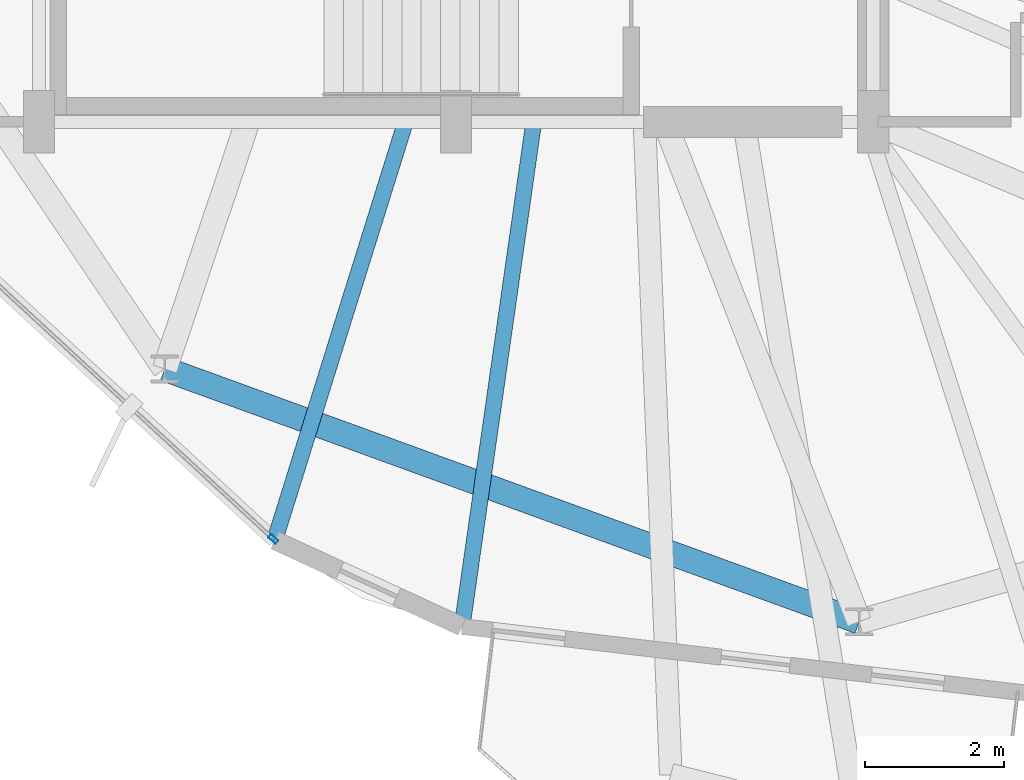
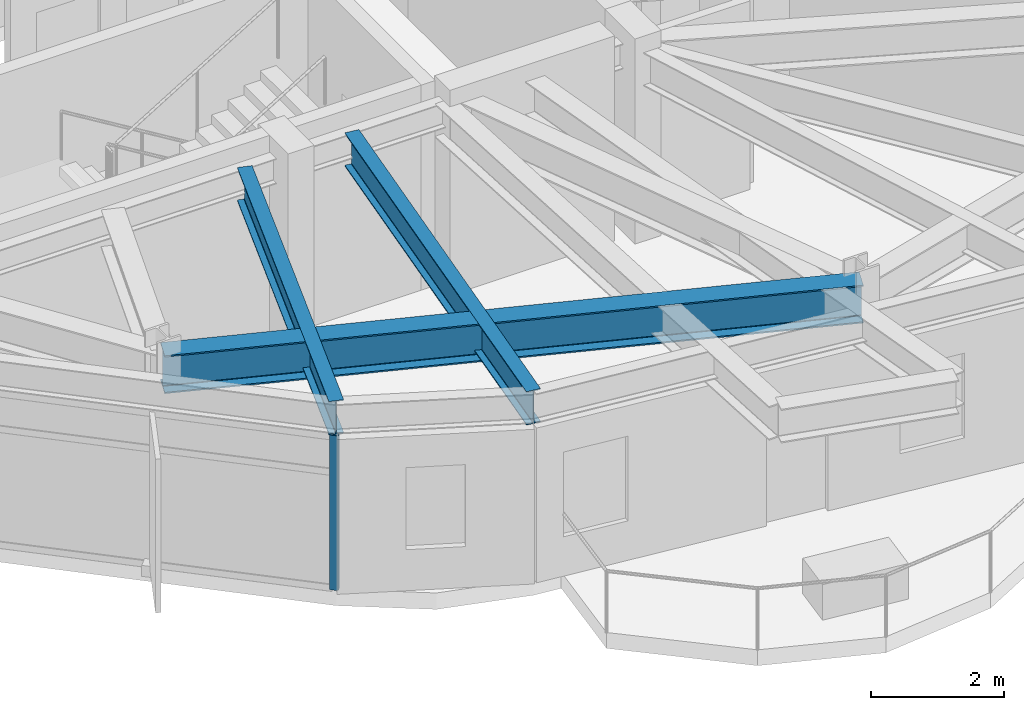
# One storey, part 2 of 25: 3 beams, 1 member, 1 element without a shape of its own.
"""IFC4 building model written with IfcOpenShell, lengths in metres."""

from ifc_helpers import new_model, si_unit, direction, frame, origin, origin_2d, place, context, subcontext, project, spatial, hollow_rectangle, i_section, extrude, material, layer, layer_set, material_profile, profile_set, type_object, element, aggregate, save


model = new_model("IFC4")

# Units and contexts
model_context = context("Model", 3, precision=1e-05, world=origin(), true_north=direction((0.0, 1.0)))
body_context = subcontext(model_context, "Body", "Model", "MODEL_VIEW")
ifc_project = project(units=[si_unit("LENGTHUNIT", "METRE"), si_unit("AREAUNIT", "SQUARE_METRE"), si_unit("VOLUMEUNIT", "CUBIC_METRE"), si_unit("PLANEANGLEUNIT", "RADIAN"), si_unit("MASSUNIT", "GRAM", prefix="KILO")], contexts=[model_context])

# Site, building, storey
site_placement = place(None, origin())
site = spatial("IfcSite", under=ifc_project, at=site_placement, CompositionType="ELEMENT")
building_placement = place(site_placement, origin())
building = spatial("IfcBuilding", under=site, at=building_placement, Name="Soratama Intermodal Tower", CompositionType="ELEMENT")
storey_placement = place(building_placement, frame((0.0, 0.0, 272.5)))
storey = spatial("IfcBuildingStorey", under=building, at=storey_placement, Name="L69", CompositionType="ELEMENT", Elevation=272.5)

# Beams
ifc_material_1 = material(Name="Structural steel ASTM A992 Grade 50", Category="steel")
ifc_material_profile_1 = material_profile(ifc_material_1, i_section(OverallWidth=0.35498046875, OverallDepth=0.695068359375, WebThickness=0.015380859375, FlangeThickness=0.02490234375, FilletRadius=0.01611328125, at=origin_2d()), Name="W27X146")
ifc_profile_set_1 = profile_set([ifc_material_profile_1], Name="Structural steel ASTM A992 Grade 50")
beam_type_1 = type_object("IfcBeamType", Name="BM-RING-W27X146", PredefinedType="BEAM", material=ifc_profile_set_1)
beam_1_placement = place(storey_placement, frame((34.410888671875, 11.446044921875, 3.1025390625), z_axis=(0.939713598519, -0.341962501976, 0.0), x_axis=(0.341962501976, 0.939713598519, 0.0)))
element("IfcBeam", 1, at=beam_1_placement, inside=storey, type_object=beam_type_1, Name="BM-L69-RING-07", PredefinedType="BEAM", context=body_context, shape_type="SweptSolid", body=[
    extrude(i_section(OverallWidth=0.35498046875, OverallDepth=0.695068359375, WebThickness=0.015380859375, FlangeThickness=0.02490234375, FilletRadius=0.01611328125, at=origin_2d()), origin(), (0.0, 0.0, 1.0), 10.6298828125),
])
ifc_material_2 = material(Name="Structural steel ASTM A992 Grade 50", Category="steel")
ifc_material_profile_2 = material_profile(ifc_material_2, i_section(OverallWidth=0.22900390625, OverallDepth=0.612060546875, WebThickness=0.011962890625, FlangeThickness=0.01953125, FilletRadius=0.012939453125, at=origin_2d()), Name="W24X84")
ifc_profile_set_2 = profile_set([ifc_material_profile_2], Name="Structural steel ASTM A992 Grade 50")
beam_type_2 = type_object("IfcBeamType", Name="BM-TIE-W24X84", PredefinedType="BEAM", material=ifc_profile_set_2)
beam_2_placement = place(storey_placement, frame((37.861083984375, 14.9619140625, 3.14404296875), z_axis=(-0.298288303755, -0.954475818365, 0.0), x_axis=(0.954475818365, -0.298288303755, 0.0)))
element("IfcBeam", 2, at=beam_2_placement, inside=storey, type_object=beam_type_2, Name="BM-L69-TIE1-05", PredefinedType="BEAM", context=body_context, shape_type="SweptSolid", body=[
    extrude(i_section(OverallWidth=0.22900390625, OverallDepth=0.612060546875, WebThickness=0.011962890625, FlangeThickness=0.01953125, FilletRadius=0.012939453125, at=origin_2d()), origin(), (0.0, 0.0, 1.0), 6.26611328125),
])
beam_3_placement = place(storey_placement, frame((39.712890625, 14.9599609375, 3.14404296875), z_axis=(-0.140676087771, -0.990055674358, 0.0), x_axis=(0.990055674358, -0.140676087771, 0.0)))
element("IfcBeam", 3, at=beam_3_placement, inside=storey, type_object=beam_type_2, Name="BM-L69-TIE0-06", PredefinedType="BEAM", context=body_context, shape_type="SweptSolid", body=[
    extrude(i_section(OverallWidth=0.22900390625, OverallDepth=0.612060546875, WebThickness=0.011962890625, FlangeThickness=0.01953125, FilletRadius=0.012939453125, at=origin_2d()), origin(), (0.0, 0.0, 1.0), 7.29248046875),
])

# Curtain wall, member
ifc_material_3 = material(Name="Double-glazed aluminium curtain wall", Category="aluminium")
ifc_layer = layer(ifc_material_3, 0.159912109375)
ifc_layer_set = layer_set([ifc_layer], Name="Double-glazed aluminium curtain wall")
curtain_wall_type = type_object("IfcCurtainWallType", Name="CW-SYS-5", PredefinedType="NOTDEFINED", material=ifc_layer_set)
curtain_wall_placement = place(storey_placement, origin())
curtain_wall = element("IfcCurtainWall", 4, at=curtain_wall_placement, inside=storey, type_object=curtain_wall_type, Name="L69 Faceted Curtain Wall F05", PredefinedType="NOTDEFINED")
ifc_material_4 = material(Name="Anodised aluminium AA 6063-T6", Category="aluminium")
ifc_material_profile_3 = material_profile(ifc_material_4, hollow_rectangle(XDim=0.06494140625, YDim=0.139892578125, WallThickness=0.0048828125, InnerFilletRadius=0.0048828125, OuterFilletRadius=0.010009765625, at=origin_2d()), Name="CWM140X65X5")
ifc_profile_set_3 = profile_set([ifc_material_profile_3], Name="Anodised aluminium AA 6063-T6")
member_type = type_object("IfcMemberType", Name="MT-CWM-5", PredefinedType="MULLION", material=ifc_profile_set_3)
member_placement = place(storey_placement, frame((35.97021484375, 9.001220703125, 0.0), z_axis=(0.0, 0.0, 1.0), x_axis=(0.678416910779, 0.734677136686, 0.0)))
member = element("IfcMember", 5, at=member_placement, type_object=member_type, Name="CW-5 mullion 2", PredefinedType="MULLION", context=body_context, shape_type="SweptSolid", body=[
    extrude(hollow_rectangle(XDim=0.06494140625, YDim=0.139892578125, WallThickness=0.0048828125, InnerFilletRadius=0.0048828125, OuterFilletRadius=0.010009765625, at=origin_2d()), origin(), (0.0, 0.0, 1.0), 2.8291015625),
])
aggregate(curtain_wall, [member])

save(model, "model.ifc")
